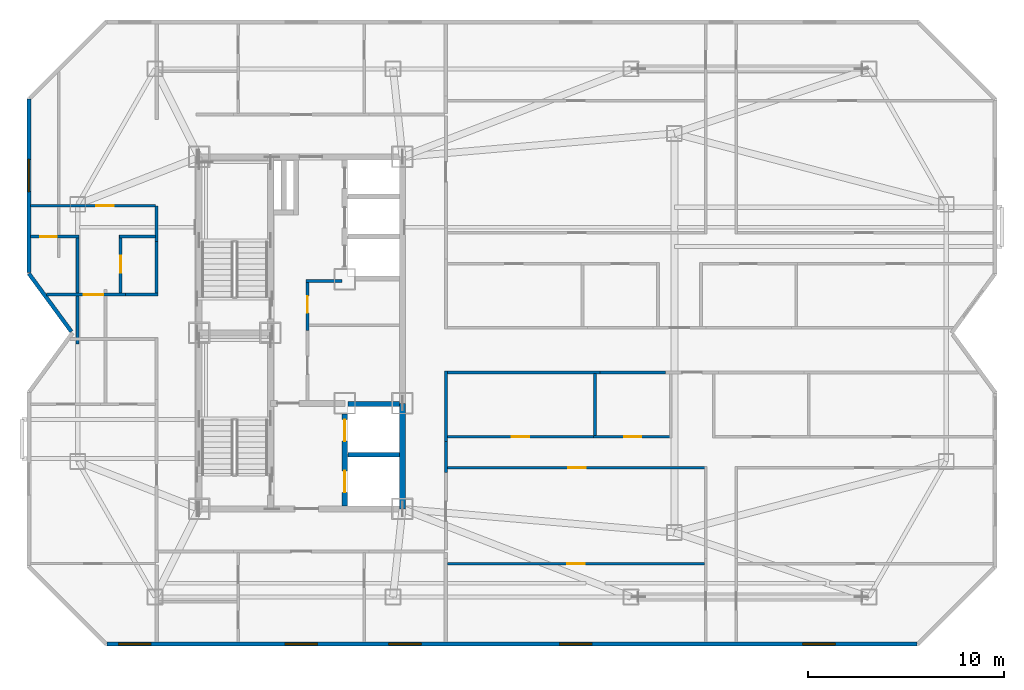
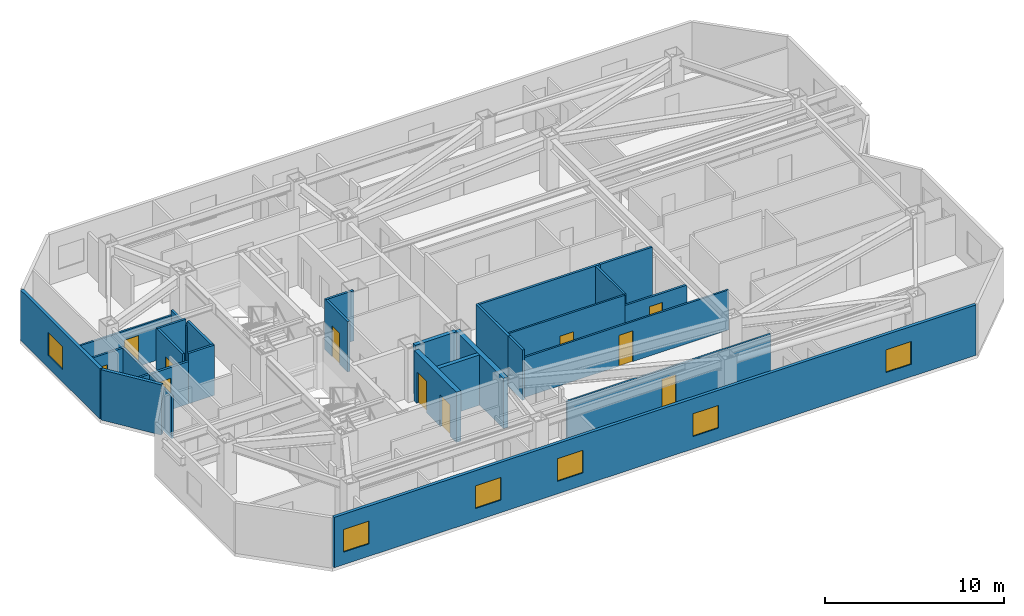
# One storey, part 5 of 9: 27 walls, 11 doors, 6 windows, 17 openings.
"""IFC4 building model written with IfcOpenShell, lengths in metres."""

from ifc_helpers import new_model, si_unit, direction, frame, frame_2d, origin, place, context, subcontext, project, spatial, rectangle, extrude, material, layer, layer_set, type_object, element, fill, save


model = new_model("IFC4")

# Units and contexts
model_context = context("Model", 3, precision=1e-05, world=origin(), true_north=direction((0.0, 1.0)))
body_context = subcontext(model_context, "Body", "Model", "MODEL_VIEW")
ifc_project = project(units=[si_unit("LENGTHUNIT", "METRE"), si_unit("AREAUNIT", "SQUARE_METRE"), si_unit("VOLUMEUNIT", "CUBIC_METRE"), si_unit("PLANEANGLEUNIT", "RADIAN"), si_unit("MASSUNIT", "GRAM", prefix="KILO")], contexts=[model_context])

# Site, building, storey
site_placement = place(None, origin())
site = spatial("IfcSite", under=ifc_project, at=site_placement, CompositionType="ELEMENT")
building_placement = place(site_placement, origin())
building = spatial("IfcBuilding", under=site, at=building_placement, Name="Khamvora Tower", CompositionType="ELEMENT")
storey_placement = place(building_placement, frame((0.0, 0.0, 224.5)))
storey = spatial("IfcBuildingStorey", under=building, at=storey_placement, Name="L57", CompositionType="ELEMENT", Elevation=224.5)

# Wall
ifc_material_1 = material(Name="Concrete C50/60", Category="concrete")
ifc_layer_1 = layer(ifc_material_1, 0.300048828125)
ifc_layer_set_1 = layer_set([ifc_layer_1], Name="Concrete C50/60")
wall_type_1 = type_object("IfcWallType", Name="WAL-CORE-300", PredefinedType="SHEAR", material=ifc_layer_set_1)
wall_1_placement = place(storey_placement, frame((39.39990234375, 19.0, 0.0), z_axis=(0.0, 0.0, 1.0), x_axis=(0.0, 1.0, 0.0)))
element("IfcWall", 1, at=wall_1_placement, inside=storey, type_object=wall_type_1, Name="L57 central core east south wall", PredefinedType="SHEAR", context=body_context, shape_type="SweptSolid", body=[
    extrude(rectangle(XDim=5.39990234375, YDim=0.300048828125, at=frame_2d((2.699951171875, 0.0))), origin(), (0.0, 0.0, 1.0), 3.429931640625),
])

# Wall, openings, doors
wall_2_placement = place(storey_placement, frame((36.449951171875, 19.154052734375, 0.0), z_axis=(0.0, 0.0, 1.0), x_axis=(0.0, 1.0, 0.0)))
wall_2 = element("IfcWall", 2, at=wall_2_placement, inside=storey, type_object=wall_type_1, Name="L57 central core lift bank south wall", PredefinedType="SHEAR", context=body_context, shape_type="SweptSolid", body=[
    extrude(rectangle(XDim=4.696044921875, YDim=0.300048828125, at=frame_2d((2.34814453125, 0.0))), origin(), (0.0, 0.0, 1.0), 3.429931640625),
])
opening_1_placement = place(wall_2_placement, frame((0.696044921875, 0.0, 0.0)))
opening_1 = element("IfcOpeningElement", 3, at=opening_1_placement, cuts=wall_2, Name="Opening LD-FFL", PredefinedType="OPENING", context=body_context, shape_type="SweptSolid", body=[
    extrude(rectangle(XDim=1.10009765625, YDim=2.14990234375, at=frame_2d((0.550048828125, 1.074951171875))), frame((0.0, 0.159912109375, 0.0), z_axis=(0.0, -1.0, 0.0), x_axis=(1.0, 0.0, 0.0)), (0.0, 0.0, 1.0), 0.320068359375),
])
opening_2_placement = place(wall_2_placement, frame((3.31591796875, 0.0, 0.0)))
opening_2 = element("IfcOpeningElement", 4, at=opening_2_placement, cuts=wall_2, Name="Opening LD-FFL", PredefinedType="OPENING", context=body_context, shape_type="SweptSolid", body=[
    extrude(rectangle(XDim=1.10009765625, YDim=2.14990234375, at=frame_2d((0.550048828125, 1.074951171875))), frame((0.0, 0.159912109375, 0.0), z_axis=(0.0, -1.0, 0.0), x_axis=(1.0, 0.0, 0.0)), (0.0, 0.0, 1.0), 0.320068359375),
])
ifc_material_2 = material(Name="Powder-Coated Steel and Hardwood Leaf", Category="steel")
door_type_1 = type_object("IfcDoorType", Name="DOR-LIFT-1100", OperationType="SLIDING_TO_LEFT", PredefinedType="DOOR", material=ifc_material_2)
door_1_placement = place(opening_1_placement, origin())
door_1 = element("IfcDoor", 5, at=door_1_placement, inside=storey, type_object=door_type_1, Name="L57 lift landing sliding door FFL-01", OperationType="SLIDING_TO_LEFT", OverallHeight=2.14990234375, OverallWidth=1.10009765625, PredefinedType="DOOR", context=body_context, shape_type="SweptSolid", body=[
    extrude(rectangle(XDim=1.10009765625, YDim=2.14990234375, at=frame_2d((0.550048828125, 1.074951171875))), frame((0.0, 0.02490234375, 0.0), z_axis=(0.0, -1.0, 0.0), x_axis=(1.0, 0.0, 0.0)), (0.0, 0.0, 1.0), 0.050048828125),
])
fill(opening_1, door_1)
door_2_placement = place(opening_2_placement, origin())
door_2 = element("IfcDoor", 6, at=door_2_placement, inside=storey, type_object=door_type_1, Name="L57 lift landing sliding door FFL-02", OperationType="SLIDING_TO_LEFT", OverallHeight=2.14990234375, OverallWidth=1.10009765625, PredefinedType="DOOR", context=body_context, shape_type="SweptSolid", body=[
    extrude(rectangle(XDim=1.10009765625, YDim=2.14990234375, at=frame_2d((0.550048828125, 1.074951171875))), frame((0.0, 0.02490234375, 0.0), z_axis=(0.0, -1.0, 0.0), x_axis=(1.0, 0.0, 0.0)), (0.0, 0.0, 1.0), 0.050048828125),
])
fill(opening_2, door_2)

# Wall
ifc_material_3 = material(Name="Fire-Rated Drywall and Steel Stud", Category="steel")
ifc_layer_2 = layer(ifc_material_3, 0.14990234375)
ifc_layer_set_2 = layer_set([ifc_layer_2], Name="Fire-Rated Drywall and Steel Stud")
wall_type_2 = type_object("IfcWallType", Name="WAL-CORR-150", PredefinedType="STANDARD", material=ifc_layer_set_2)
wall_3_placement = place(storey_placement, frame((36.300048828125, 30.6650390625, 0.0), z_axis=(0.0, 0.0, 1.0), x_axis=(-1.0, 0.0, 0.0)))
element("IfcWall", 7, at=wall_3_placement, inside=storey, type_object=wall_type_2, Name="L57 interior partition wall 001", PredefinedType="STANDARD", context=body_context, shape_type="SweptSolid", body=[
    extrude(rectangle(XDim=1.820068359375, YDim=0.14990234375, at=frame_2d((0.91015625, 0.0))), origin(), (0.0, 0.0, 1.0), 3.429931640625),
])

# Wall, opening, door
wall_4_placement = place(storey_placement, frame((34.544921875, 30.72998046875, 0.0), z_axis=(0.0, 0.0, 1.0), x_axis=(0.0, -1.0, 0.0)))
wall_4 = element("IfcWall", 8, at=wall_4_placement, inside=storey, type_object=wall_type_2, Name="L57 interior partition wall 002", PredefinedType="STANDARD", context=body_context, shape_type="SweptSolid", body=[
    extrude(rectangle(XDim=2.593994140625, YDim=0.14990234375, at=frame_2d((1.296875, 0.0))), origin(), (0.0, 0.0, 1.0), 3.429931640625),
])
opening_3_placement = place(wall_4_placement, frame((0.85107421875, 0.0, 0.0)))
opening_3 = element("IfcOpeningElement", 9, at=opening_3_placement, cuts=wall_4, Name="Opening D-WC1", PredefinedType="OPENING", context=body_context, shape_type="SweptSolid", body=[
    extrude(rectangle(XDim=0.85009765625, YDim=2.10009765625, at=frame_2d((0.425048828125, 1.050048828125))), frame((0.0, 0.0849609375, 0.0), z_axis=(0.0, -1.0, 0.0), x_axis=(1.0, 0.0, 0.0)), (0.0, 0.0, 1.0), 0.169921875),
])
door_type_2 = type_object("IfcDoorType", Name="DOR-WET-850", OperationType="NOTDEFINED", PredefinedType="DOOR", material=ifc_material_2)
door_3_placement = place(opening_3_placement, origin())
door_3 = element("IfcDoor", 10, at=door_3_placement, inside=storey, type_object=door_type_2, Name="L57 interior door PHL-CS1", OperationType="SINGLE_SWING_RIGHT", OverallHeight=2.10009765625, OverallWidth=0.85009765625, PredefinedType="DOOR", context=body_context, shape_type="SweptSolid", body=[
    extrude(rectangle(XDim=0.85009765625, YDim=2.10009765625, at=frame_2d((0.425048828125, 1.050048828125))), frame((0.0, 0.02490234375, 0.0), z_axis=(0.0, -1.0, 0.0), x_axis=(1.0, 0.0, 0.0)), (0.0, 0.0, 1.0), 0.050048828125),
])
fill(opening_3, door_3)

wall_5_placement = place(storey_placement, frame((21.197021484375, 29.965087890625, 0.0), z_axis=(0.0, 0.0, 1.0), x_axis=(1.0, 0.0, 0.0)))
wall_5 = element("IfcWall", 11, at=wall_5_placement, inside=storey, type_object=wall_type_2, Name="L57 interior partition wall 008", PredefinedType="STANDARD", context=body_context, shape_type="SweptSolid", body=[
    extrude(rectangle(XDim=4.0380859375, YDim=0.14990234375, at=frame_2d((2.01904296875, 0.0))), origin(), (0.0, 0.0, 1.0), 2.886962890625),
])
opening_4_placement = place(wall_5_placement, frame((1.910888671875, 0.0, 0.0)))
opening_4 = element("IfcOpeningElement", 12, at=opening_4_placement, cuts=wall_5, Name="Opening D-U1", PredefinedType="OPENING", context=body_context, shape_type="SweptSolid", body=[
    extrude(rectangle(XDim=1.0, YDim=2.14990234375, at=frame_2d((0.5, 1.074951171875))), frame((0.0, 0.0849609375, 0.0), z_axis=(0.0, -1.0, 0.0), x_axis=(1.0, 0.0, 0.0)), (0.0, 0.0, 1.0), 0.169921875),
])
door_type_3 = type_object("IfcDoorType", Name="DOR-UNIT-1000", OperationType="NOTDEFINED", PredefinedType="DOOR", material=ifc_material_2)
door_4_placement = place(opening_4_placement, origin())
door_4 = element("IfcDoor", 13, at=door_4_placement, inside=storey, type_object=door_type_3, Name="L57 interior door COR-57WBH", OperationType="SINGLE_SWING_RIGHT", OverallHeight=2.14990234375, OverallWidth=1.0, PredefinedType="DOOR", context=body_context, shape_type="SweptSolid", body=[
    extrude(rectangle(XDim=1.0, YDim=2.14990234375, at=frame_2d((0.5, 1.074951171875))), frame((0.0, 0.02490234375, 0.0), z_axis=(0.0, -1.0, 0.0), x_axis=(1.0, 0.0, 0.0)), (0.0, 0.0, 1.0), 0.050048828125),
])
fill(opening_4, door_4)

# Walls
wall_6_placement = place(storey_placement, frame((26.8349609375, 32.680908203125, 0.0), z_axis=(0.0, 0.0, 1.0), x_axis=(0.0, 1.0, 0.0)))
element("IfcWall", 14, at=wall_6_placement, inside=storey, type_object=wall_type_2, Name="L57 interior partition wall 009", PredefinedType="STANDARD", context=body_context, shape_type="SweptSolid", body=[
    extrude(rectangle(XDim=1.819091796875, YDim=0.14990234375, at=frame_2d((0.90966796875, 0.0))), origin(), (0.0, 0.0, 1.0), 3.06494140625),
])
wall_7_placement = place(storey_placement, frame((25.235107421875, 29.965087890625, 0.0), z_axis=(0.0, 0.0, 1.0), x_axis=(1.0, 0.0, 0.0)))
element("IfcWall", 15, at=wall_7_placement, inside=storey, type_object=wall_type_2, Name="L57 interior partition wall 010", PredefinedType="STANDARD", context=body_context, shape_type="SweptSolid", body=[
    extrude(rectangle(XDim=1.664794921875, YDim=0.14990234375, at=frame_2d((0.83251953125, 0.0))), origin(), (0.0, 0.0, 1.0), 3.429931640625),
])
wall_8_placement = place(storey_placement, frame((26.8349609375, 29.89990234375, 0.0), z_axis=(0.0, 0.0, 1.0), x_axis=(0.0, 1.0, 0.0)))
element("IfcWall", 16, at=wall_8_placement, inside=storey, type_object=wall_type_2, Name="L57 interior partition wall 011", PredefinedType="STANDARD", context=body_context, shape_type="SweptSolid", body=[
    extrude(rectangle(XDim=2.781005859375, YDim=0.14990234375, at=frame_2d((1.390625, 0.0))), origin(), (0.0, 0.0, 1.0), 3.429931640625),
])
wall_9_placement = place(storey_placement, frame((49.491943359375, 25.985107421875, 0.0), z_axis=(0.0, 0.0, 1.0), x_axis=(-1.0, 0.0, 0.0)))
element("IfcWall", 17, at=wall_9_placement, inside=storey, type_object=wall_type_2, Name="L57 interior partition wall 018", PredefinedType="STANDARD", context=body_context, shape_type="SweptSolid", body=[
    extrude(rectangle(XDim=7.94189453125, YDim=0.14990234375, at=frame_2d((3.970947265625, 0.0))), origin(), (0.0, 0.0, 1.0), 3.429931640625),
])
wall_10_placement = place(storey_placement, frame((41.614990234375, 26.050048828125, 0.0), z_axis=(0.0, 0.0, 1.0), x_axis=(0.0, -1.0, 0.0)))
element("IfcWall", 18, at=wall_10_placement, inside=storey, type_object=wall_type_2, Name="L57 interior partition wall 019", PredefinedType="STANDARD", context=body_context, shape_type="SweptSolid", body=[
    extrude(rectangle(XDim=3.610107421875, YDim=0.14990234375, at=frame_2d((1.80517578125, 0.0))), origin(), (0.0, 0.0, 1.0), 3.429931640625),
])
wall_11_placement = place(storey_placement, frame((41.614990234375, 22.43994140625, 0.0), z_axis=(0.0, 0.0, 1.0), x_axis=(0.0, -1.0, 0.0)))
element("IfcWall", 19, at=wall_11_placement, inside=storey, type_object=wall_type_2, Name="L57 interior partition wall 022", PredefinedType="STANDARD", context=body_context, shape_type="SweptSolid", body=[
    extrude(rectangle(XDim=1.579833984375, YDim=0.14990234375, at=frame_2d((0.7900390625, 0.0))), origin(), (0.0, 0.0, 1.0), 3.429931640625),
])
wall_12_placement = place(storey_placement, frame((52.85888671875, 25.985107421875, 0.0), z_axis=(0.0, 0.0, 1.0), x_axis=(-1.0, 0.0, 0.0)))
element("IfcWall", 20, at=wall_12_placement, inside=storey, type_object=wall_type_2, Name="L57 interior partition wall 023", PredefinedType="STANDARD", context=body_context, shape_type="SweptSolid", body=[
    extrude(rectangle(XDim=3.366943359375, YDim=0.14990234375, at=frame_2d((1.68359375, 0.0))), origin(), (0.0, 0.0, 1.0), 3.429931640625),
])
ifc_material_4 = material(Name="Precast concrete C40/50", Category="concrete")
ifc_layer_3 = layer(ifc_material_4, 0.199951171875)
ifc_layer_set_3 = layer_set([ifc_layer_3], Name="Precast concrete C40/50")
wall_type_3 = type_object("IfcWallType", Name="WAL-EXT-200", PredefinedType="STANDARD", material=ifc_layer_set_3)
wall_13_placement = place(storey_placement, frame((22.472900390625, 28.069091796875, 0.0), z_axis=(0.0, 0.0, 1.0), x_axis=(-0.591248456881, 0.80648946815, 0.0)))
element("IfcWall", 21, at=wall_13_placement, inside=storey, type_object=wall_type_3, Name="L57 exterior facade wall 04.1", PredefinedType="STANDARD", context=body_context, shape_type="SweptSolid", body=[
    extrude(rectangle(XDim=3.675048828125, YDim=0.199951171875, at=frame_2d((1.83740234375, 0.0))), origin(), (0.0, 0.0, 1.0), 3.429931640625),
])

# Wall, opening, window
wall_14_placement = place(storey_placement, frame((20.300048828125, 31.083984375, 0.0), z_axis=(0.0, 0.0, 1.0), x_axis=(0.0, 1.0, 0.0)))
wall_14 = element("IfcWall", 22, at=wall_14_placement, inside=storey, type_object=wall_type_3, Name="L57 exterior facade wall 05.1", PredefinedType="STANDARD", context=body_context, shape_type="SweptSolid", body=[
    extrude(rectangle(XDim=8.875, YDim=0.199951171875, at=frame_2d((4.4375, 0.0))), origin(), (0.0, 0.0, 1.0), 3.429931640625),
])
opening_5_placement = place(wall_14_placement, frame((4.14306640625, 0.0, 0.85009765625)))
opening_5 = element("IfcOpeningElement", 23, at=opening_5_placement, cuts=wall_14, Name="Opening WN-06", PredefinedType="OPENING", context=body_context, shape_type="SweptSolid", body=[
    extrude(rectangle(XDim=1.64990234375, YDim=1.550048828125, at=frame_2d((0.824951171875, 0.77490234375))), frame((0.0, 0.10986328125, 0.0), z_axis=(0.0, -1.0, 0.0), x_axis=(1.0, 0.0, 0.0)), (0.0, 0.0, 1.0), 0.219970703125),
])
ifc_material_5 = material(Name="Low-E Laminated Double Glazing", Category="glass")
window_type = type_object("IfcWindowType", Name="WIN-VIS-1650x1550", PartitioningType="SINGLE_PANEL", PredefinedType="WINDOW", material=ifc_material_5)
window_1_placement = place(opening_5_placement, origin())
window_1 = element("IfcWindow", 24, at=window_1_placement, inside=storey, type_object=window_type, Name="L57 vision window 05.1.01", OverallHeight=1.550048828125, OverallWidth=1.64990234375, PartitioningType="SINGLE_PANEL", PredefinedType="WINDOW", context=body_context, shape_type="SweptSolid", body=[
    extrude(rectangle(XDim=1.64990234375, YDim=1.550048828125, at=frame_2d((0.824951171875, 0.77490234375))), frame((0.0, 0.030029296875, 0.0), z_axis=(0.0, -1.0, 0.0), x_axis=(1.0, 0.0, 0.0)), (0.0, 0.0, 1.0), 0.06005859375),
])
fill(opening_5, window_1)

# Wall, openings, windows
wall_15_placement = place(storey_placement, frame((65.696044921875, 12.10009765625, 0.0), z_axis=(0.0, 0.0, 1.0), x_axis=(-1.0, 0.0, 0.0)))
wall_15 = element("IfcWall", 25, at=wall_15_placement, inside=storey, type_object=wall_type_3, Name="L57 exterior facade wall 14.1", PredefinedType="STANDARD", context=body_context, shape_type="SweptSolid", body=[
    extrude(rectangle(XDim=41.39306640625, YDim=0.199951171875, at=frame_2d((20.696533203125, 0.0))), origin(), (0.0, 0.0, 1.0), 3.429931640625),
])
opening_6_placement = place(wall_15_placement, frame((39.159912109375, 0.0, 0.85009765625)))
opening_6 = element("IfcOpeningElement", 26, at=opening_6_placement, cuts=wall_15, Name="Opening WN-06", PredefinedType="OPENING", context=body_context, shape_type="SweptSolid", body=[
    extrude(rectangle(XDim=1.64990234375, YDim=1.550048828125, at=frame_2d((0.824951171875, 0.77490234375))), frame((0.0, 0.10986328125, 0.0), z_axis=(0.0, -1.0, 0.0), x_axis=(1.0, 0.0, 0.0)), (0.0, 0.0, 1.0), 0.219970703125),
])
opening_7_placement = place(wall_15_placement, frame((30.64599609375, 0.0, 0.85009765625)))
opening_7 = element("IfcOpeningElement", 27, at=opening_7_placement, cuts=wall_15, Name="Opening WN-06", PredefinedType="OPENING", context=body_context, shape_type="SweptSolid", body=[
    extrude(rectangle(XDim=1.64990234375, YDim=1.550048828125, at=frame_2d((0.824951171875, 0.77490234375))), frame((0.0, 0.10986328125, 0.0), z_axis=(0.0, -1.0, 0.0), x_axis=(1.0, 0.0, 0.0)), (0.0, 0.0, 1.0), 0.219970703125),
])
opening_8_placement = place(wall_15_placement, frame((25.339111328125, 0.0, 0.85009765625)))
opening_8 = element("IfcOpeningElement", 28, at=opening_8_placement, cuts=wall_15, Name="Opening WN-06", PredefinedType="OPENING", context=body_context, shape_type="SweptSolid", body=[
    extrude(rectangle(XDim=1.64990234375, YDim=1.550048828125, at=frame_2d((0.824951171875, 0.77490234375))), frame((0.0, 0.10986328125, 0.0), z_axis=(0.0, -1.0, 0.0), x_axis=(1.0, 0.0, 0.0)), (0.0, 0.0, 1.0), 0.219970703125),
])
opening_9_placement = place(wall_15_placement, frame((16.613037109375, 0.0, 0.85009765625)))
opening_9 = element("IfcOpeningElement", 29, at=opening_9_placement, cuts=wall_15, Name="Opening WN-06", PredefinedType="OPENING", context=body_context, shape_type="SweptSolid", body=[
    extrude(rectangle(XDim=1.64990234375, YDim=1.550048828125, at=frame_2d((0.824951171875, 0.77490234375))), frame((0.0, 0.10986328125, 0.0), z_axis=(0.0, -1.0, 0.0), x_axis=(1.0, 0.0, 0.0)), (0.0, 0.0, 1.0), 0.219970703125),
])
opening_10_placement = place(wall_15_placement, frame((4.179931640625, 0.0, 0.85009765625)))
opening_10 = element("IfcOpeningElement", 30, at=opening_10_placement, cuts=wall_15, Name="Opening WN-06", PredefinedType="OPENING", context=body_context, shape_type="SweptSolid", body=[
    extrude(rectangle(XDim=1.64990234375, YDim=1.550048828125, at=frame_2d((0.824951171875, 0.77490234375))), frame((0.0, 0.10986328125, 0.0), z_axis=(0.0, -1.0, 0.0), x_axis=(1.0, 0.0, 0.0)), (0.0, 0.0, 1.0), 0.219970703125),
])
window_2_placement = place(opening_6_placement, origin())
window_2 = element("IfcWindow", 31, at=window_2_placement, inside=storey, type_object=window_type, Name="L57 vision window 14.1.01", OverallHeight=1.550048828125, OverallWidth=1.64990234375, PartitioningType="SINGLE_PANEL", PredefinedType="WINDOW", context=body_context, shape_type="SweptSolid", body=[
    extrude(rectangle(XDim=1.64990234375, YDim=1.550048828125, at=frame_2d((0.824951171875, 0.77490234375))), frame((0.0, 0.030029296875, 0.0), z_axis=(0.0, -1.0, 0.0), x_axis=(1.0, 0.0, 0.0)), (0.0, 0.0, 1.0), 0.06005859375),
])
fill(opening_6, window_2)
window_3_placement = place(opening_7_placement, origin())
window_3 = element("IfcWindow", 32, at=window_3_placement, inside=storey, type_object=window_type, Name="L57 vision window 14.1.02", OverallHeight=1.550048828125, OverallWidth=1.64990234375, PartitioningType="SINGLE_PANEL", PredefinedType="WINDOW", context=body_context, shape_type="SweptSolid", body=[
    extrude(rectangle(XDim=1.64990234375, YDim=1.550048828125, at=frame_2d((0.824951171875, 0.77490234375))), frame((0.0, 0.030029296875, 0.0), z_axis=(0.0, -1.0, 0.0), x_axis=(1.0, 0.0, 0.0)), (0.0, 0.0, 1.0), 0.06005859375),
])
fill(opening_7, window_3)
window_4_placement = place(opening_8_placement, origin())
window_4 = element("IfcWindow", 33, at=window_4_placement, inside=storey, type_object=window_type, Name="L57 vision window 14.1.03", OverallHeight=1.550048828125, OverallWidth=1.64990234375, PartitioningType="SINGLE_PANEL", PredefinedType="WINDOW", context=body_context, shape_type="SweptSolid", body=[
    extrude(rectangle(XDim=1.64990234375, YDim=1.550048828125, at=frame_2d((0.824951171875, 0.77490234375))), frame((0.0, 0.030029296875, 0.0), z_axis=(0.0, -1.0, 0.0), x_axis=(1.0, 0.0, 0.0)), (0.0, 0.0, 1.0), 0.06005859375),
])
fill(opening_8, window_4)
window_5_placement = place(opening_9_placement, origin())
window_5 = element("IfcWindow", 34, at=window_5_placement, inside=storey, type_object=window_type, Name="L57 vision window 14.1.04", OverallHeight=1.550048828125, OverallWidth=1.64990234375, PartitioningType="SINGLE_PANEL", PredefinedType="WINDOW", context=body_context, shape_type="SweptSolid", body=[
    extrude(rectangle(XDim=1.64990234375, YDim=1.550048828125, at=frame_2d((0.824951171875, 0.77490234375))), frame((0.0, 0.030029296875, 0.0), z_axis=(0.0, -1.0, 0.0), x_axis=(1.0, 0.0, 0.0)), (0.0, 0.0, 1.0), 0.06005859375),
])
fill(opening_9, window_5)
window_6_placement = place(opening_10_placement, origin())
window_6 = element("IfcWindow", 35, at=window_6_placement, inside=storey, type_object=window_type, Name="L57 vision window 14.1.05", OverallHeight=1.550048828125, OverallWidth=1.64990234375, PartitioningType="SINGLE_PANEL", PredefinedType="WINDOW", context=body_context, shape_type="SweptSolid", body=[
    extrude(rectangle(XDim=1.64990234375, YDim=1.550048828125, at=frame_2d((0.824951171875, 0.77490234375))), frame((0.0, 0.030029296875, 0.0), z_axis=(0.0, -1.0, 0.0), x_axis=(1.0, 0.0, 0.0)), (0.0, 0.0, 1.0), 0.06005859375),
])
fill(opening_10, window_6)

# Wall, opening, door
ifc_material_6 = material(Name="Gypsum Plasterboard Partition", Category="gypsum")
ifc_layer_4 = layer(ifc_material_6, 0.1201171875)
ifc_layer_set_4 = layer_set([ifc_layer_4], Name="Gypsum Plasterboard Partition")
wall_type_4 = type_object("IfcWallType", Name="WAL-PART-120", PredefinedType="PARTITIONING", material=ifc_layer_set_4)
wall_16_placement = place(storey_placement, frame((20.39208984375, 34.510009765625, 0.0), z_axis=(0.0, 0.0, 1.0), x_axis=(1.0, 0.0, 0.0)))
wall_16 = element("IfcWall", 36, at=wall_16_placement, inside=storey, type_object=wall_type_4, Name="L57 interior partition wall 046", PredefinedType="PARTITIONING", context=body_context, shape_type="SweptSolid", body=[
    extrude(rectangle(XDim=6.3779296875, YDim=0.1201171875, at=frame_2d((3.18896484375, 0.0))), origin(), (0.0, 0.0, 1.0), 2.72509765625),
])
opening_11_placement = place(wall_16_placement, frame((3.35205078125, 0.0, 0.0)))
opening_11 = element("IfcOpeningElement", 37, at=opening_11_placement, cuts=wall_16, Name="Opening D-RM1", PredefinedType="OPENING", context=body_context, shape_type="SweptSolid", body=[
    extrude(rectangle(XDim=0.89990234375, YDim=2.10009765625, at=frame_2d((0.449951171875, 1.050048828125))), frame((0.0, 0.070068359375, 0.0), z_axis=(0.0, -1.0, 0.0), x_axis=(1.0, 0.0, 0.0)), (0.0, 0.0, 1.0), 0.14013671875),
])
door_type_4 = type_object("IfcDoorType", Name="DOR-ROOM-900", OperationType="NOTDEFINED", PredefinedType="DOOR", material=ifc_material_2)
door_5_placement = place(opening_11_placement, origin())
door_5 = element("IfcDoor", 38, at=door_5_placement, inside=storey, type_object=door_type_4, Name="L57 interior door 57WBH-57WBR1", OperationType="SINGLE_SWING_RIGHT", OverallHeight=2.10009765625, OverallWidth=0.89990234375, PredefinedType="DOOR", context=body_context, shape_type="SweptSolid", body=[
    extrude(rectangle(XDim=0.89990234375, YDim=2.10009765625, at=frame_2d((0.449951171875, 1.050048828125))), frame((0.0, 0.02490234375, 0.0), z_axis=(0.0, -1.0, 0.0), x_axis=(1.0, 0.0, 0.0)), (0.0, 0.0, 1.0), 0.050048828125),
])
fill(opening_11, door_5)

wall_17_placement = place(storey_placement, frame((49.177978515625, 22.68896484375, 0.0), z_axis=(0.0, 0.0, 1.0), x_axis=(-1.0, 0.0, 0.0)))
wall_17 = element("IfcWall", 39, at=wall_17_placement, inside=storey, type_object=wall_type_4, Name="L57 interior partition wall 061", PredefinedType="PARTITIONING", context=body_context, shape_type="SweptSolid", body=[
    extrude(rectangle(XDim=7.49609375, YDim=0.1201171875, at=frame_2d((3.748046875, 0.0))), origin(), (0.0, 0.0, 1.0), 3.429931640625),
])
opening_12_placement = place(wall_17_placement, frame((3.298095703125, 0.0, 0.0)))
opening_12 = element("IfcOpeningElement", 40, at=opening_12_placement, cuts=wall_17, Name="Opening D-RM1", PredefinedType="OPENING", context=body_context, shape_type="SweptSolid", body=[
    extrude(rectangle(XDim=0.89990234375, YDim=2.10009765625, at=frame_2d((0.449951171875, 1.050048828125))), frame((0.0, 0.070068359375, 0.0), z_axis=(0.0, -1.0, 0.0), x_axis=(1.0, 0.0, 0.0)), (0.0, 0.0, 1.0), 0.14013671875),
])
door_6_placement = place(opening_12_placement, origin())
door_6 = element("IfcDoor", 41, at=door_6_placement, inside=storey, type_object=door_type_4, Name="L57 interior door 57EAW1-57EAH", OperationType="SINGLE_SWING_LEFT", OverallHeight=2.10009765625, OverallWidth=0.89990234375, PredefinedType="DOOR", context=body_context, shape_type="SweptSolid", body=[
    extrude(rectangle(XDim=0.89990234375, YDim=2.10009765625, at=frame_2d((0.449951171875, 1.050048828125))), frame((0.0, 0.02490234375, 0.0), z_axis=(0.0, -1.0, 0.0), x_axis=(1.0, 0.0, 0.0)), (0.0, 0.0, 1.0), 0.050048828125),
])
fill(opening_12, door_6)

wall_18_placement = place(storey_placement, frame((54.965087890625, 21.10888671875, 0.0), z_axis=(0.0, 0.0, 1.0), x_axis=(-1.0, 0.0, 0.0)))
wall_18 = element("IfcWall", 42, at=wall_18_placement, inside=storey, type_object=wall_type_4, Name="L57 interior partition wall 071", PredefinedType="PARTITIONING", context=body_context, shape_type="SweptSolid", body=[
    extrude(rectangle(XDim=13.283203125, YDim=0.1201171875, at=frame_2d((6.6416015625, 0.0))), origin(), (0.0, 0.0, 1.0), 2.72509765625),
])
opening_13_placement = place(wall_18_placement, frame((6.19091796875, 0.0, 0.0)))
opening_13 = element("IfcOpeningElement", 43, at=opening_13_placement, cuts=wall_18, Name="Opening D-RM1", PredefinedType="OPENING", context=body_context, shape_type="SweptSolid", body=[
    extrude(rectangle(XDim=0.89990234375, YDim=2.10009765625, at=frame_2d((0.449951171875, 1.050048828125))), frame((0.0, 0.070068359375, 0.0), z_axis=(0.0, -1.0, 0.0), x_axis=(1.0, 0.0, 0.0)), (0.0, 0.0, 1.0), 0.14013671875),
])
door_7_placement = place(opening_13_placement, origin())
door_7 = element("IfcDoor", 44, at=door_7_placement, inside=storey, type_object=door_type_4, Name="L57 interior door 57EAH-57EAR2", OperationType="SINGLE_SWING_RIGHT", OverallHeight=2.10009765625, OverallWidth=0.89990234375, PredefinedType="DOOR", context=body_context, shape_type="SweptSolid", body=[
    extrude(rectangle(XDim=0.89990234375, YDim=2.10009765625, at=frame_2d((0.449951171875, 1.050048828125))), frame((0.0, 0.02490234375, 0.0), z_axis=(0.0, -1.0, 0.0), x_axis=(1.0, 0.0, 0.0)), (0.0, 0.0, 1.0), 0.050048828125),
])
fill(opening_13, door_7)

wall_19_placement = place(storey_placement, frame((41.697021484375, 16.2080078125, 0.0), z_axis=(0.0, 0.0, 1.0), x_axis=(1.0, 0.0, 0.0)))
wall_19 = element("IfcWall", 45, at=wall_19_placement, inside=storey, type_object=wall_type_4, Name="L57 interior partition wall 075", PredefinedType="PARTITIONING", context=body_context, shape_type="SweptSolid", body=[
    extrude(rectangle(XDim=13.14892578125, YDim=0.1201171875, at=frame_2d((6.574462890625, 0.0))), origin(), (0.0, 0.0, 1.0), 2.72509765625),
])
opening_14_placement = place(wall_19_placement, frame((6.1240234375, 0.0, 0.0)))
opening_14 = element("IfcOpeningElement", 46, at=opening_14_placement, cuts=wall_19, Name="Opening D-RM1", PredefinedType="OPENING", context=body_context, shape_type="SweptSolid", body=[
    extrude(rectangle(XDim=0.89990234375, YDim=2.10009765625, at=frame_2d((0.449951171875, 1.050048828125))), frame((0.0, 0.070068359375, 0.0), z_axis=(0.0, -1.0, 0.0), x_axis=(1.0, 0.0, 0.0)), (0.0, 0.0, 1.0), 0.14013671875),
])
door_8_placement = place(opening_14_placement, origin())
door_8 = element("IfcDoor", 47, at=door_8_placement, inside=storey, type_object=door_type_4, Name="L57 interior door 57EAR1-57EAR2", OperationType="SINGLE_SWING_LEFT", OverallHeight=2.10009765625, OverallWidth=0.89990234375, PredefinedType="DOOR", context=body_context, shape_type="SweptSolid", body=[
    extrude(rectangle(XDim=0.89990234375, YDim=2.10009765625, at=frame_2d((0.449951171875, 1.050048828125))), frame((0.0, 0.02490234375, 0.0), z_axis=(0.0, -1.0, 0.0), x_axis=(1.0, 0.0, 0.0)), (0.0, 0.0, 1.0), 0.050048828125),
])
fill(opening_14, door_8)

# Walls
ifc_material_7 = material(Name="Concrete C40/50", Category="concrete")
ifc_layer_5 = layer(ifc_material_7, 0.25)
ifc_layer_set_5 = layer_set([ifc_layer_5], Name="Concrete C40/50")
wall_type_5 = type_object("IfcWallType", Name="WAL-PODS-250", PredefinedType="SHEAR", material=ifc_layer_set_5)
for number, where, z_axis, x_axis, name in (
    (48, (36.60400390625, 21.77490234375, 0.0), (0.0, 0.0, 1.0), (1.0, 0.0, 0.0), "L57 lift shaft divider wall FFL-01"),
    (49, (36.60400390625, 24.375, 0.0), (0.0, 0.0, 1.0), (1.0, 0.0, 0.0), "L57 lift shaft divider wall FFL-02"),
):
    element("IfcWall", number, at=place(storey_placement, frame(where, z_axis=z_axis, x_axis=x_axis)), inside=storey, type_object=wall_type_5, Name=name, PredefinedType="SHEAR", context=body_context, shape_type="SweptSolid", body=[
        extrude(rectangle(XDim=2.64208984375, YDim=0.25, at=frame_2d((1.321044921875, 0.0))), origin(), (0.0, 0.0, 1.0), 3.429931640625),
    ])
ifc_material_8 = material(Name="Moisture-Resistant Plasterboard Partition", Category="gypsum")
ifc_layer_6 = layer(ifc_material_8, 0.135009765625)
ifc_layer_set_6 = layer_set([ifc_layer_6], Name="Moisture-Resistant Plasterboard Partition")
wall_type_6 = type_object("IfcWallType", Name="WAL-WET-135", PredefinedType="PARTITIONING", material=ifc_layer_set_6)
wall_20_placement = place(storey_placement, frame((26.77001953125, 32.929931640625, 0.0), z_axis=(0.0, 0.0, 1.0), x_axis=(-1.0, 0.0, 0.0)))
element("IfcWall", 50, at=wall_20_placement, inside=storey, type_object=wall_type_6, Name="L57 interior partition wall 041", PredefinedType="PARTITIONING", context=body_context, shape_type="SweptSolid", body=[
    extrude(rectangle(XDim=1.84912109375, YDim=0.135009765625, at=frame_2d((0.924560546875, 0.0))), origin(), (0.0, 0.0, 1.0), 3.429931640625),
])

# Wall, opening, door
wall_21_placement = place(storey_placement, frame((24.986083984375, 32.9951171875, 0.0), z_axis=(0.0, 0.0, 1.0), x_axis=(0.0, -1.0, 0.0)))
wall_21 = element("IfcWall", 51, at=wall_21_placement, inside=storey, type_object=wall_type_6, Name="L57 interior partition wall 042", PredefinedType="PARTITIONING", context=body_context, shape_type="SweptSolid", body=[
    extrude(rectangle(XDim=2.965087890625, YDim=0.135009765625, at=frame_2d((1.482421875, 0.0))), origin(), (0.0, 0.0, 1.0), 3.429931640625),
])
opening_15_placement = place(wall_21_placement, frame((1.056884765625, 0.0, 0.0)))
opening_15 = element("IfcOpeningElement", 52, at=opening_15_placement, cuts=wall_21, Name="Opening D-WC1", PredefinedType="OPENING", context=body_context, shape_type="SweptSolid", body=[
    extrude(rectangle(XDim=0.85009765625, YDim=2.10009765625, at=frame_2d((0.425048828125, 1.050048828125))), frame((0.0, 0.077392578125, 0.0), z_axis=(0.0, -1.0, 0.0), x_axis=(1.0, 0.0, 0.0)), (0.0, 0.0, 1.0), 0.155029296875),
])
door_9_placement = place(opening_15_placement, origin())
door_9 = element("IfcDoor", 53, at=door_9_placement, inside=storey, type_object=door_type_2, Name="L57 interior door 57WBH-57WBB", OperationType="SINGLE_SWING_RIGHT", OverallHeight=2.10009765625, OverallWidth=0.85009765625, PredefinedType="DOOR", context=body_context, shape_type="SweptSolid", body=[
    extrude(rectangle(XDim=0.85009765625, YDim=2.10009765625, at=frame_2d((0.425048828125, 1.050048828125))), frame((0.0, 0.02490234375, 0.0), z_axis=(0.0, -1.0, 0.0), x_axis=(1.0, 0.0, 0.0)), (0.0, 0.0, 1.0), 0.050048828125),
])
fill(opening_15, door_9)

# Wall
wall_22_placement = place(storey_placement, frame((22.785888671875, 27.429931640625, 0.0), z_axis=(0.0, 0.0, 1.0), x_axis=(0.0, 1.0, 0.0)))
element("IfcWall", 54, at=wall_22_placement, inside=storey, type_object=wall_type_6, Name="L57 interior partition wall 043", PredefinedType="PARTITIONING", context=body_context, shape_type="SweptSolid", body=[
    extrude(rectangle(XDim=5.565185546875, YDim=0.135009765625, at=frame_2d((2.78271484375, 0.0))), origin(), (0.0, 0.0, 1.0), 2.886962890625),
])

# Wall, opening, door
wall_23_placement = place(storey_placement, frame((22.85107421875, 32.929931640625, 0.0), z_axis=(0.0, 0.0, 1.0), x_axis=(-1.0, 0.0, 0.0)))
wall_23 = element("IfcWall", 55, at=wall_23_placement, inside=storey, type_object=wall_type_6, Name="L57 interior partition wall 044", PredefinedType="PARTITIONING", context=body_context, shape_type="SweptSolid", body=[
    extrude(rectangle(XDim=2.458984375, YDim=0.135009765625, at=frame_2d((1.2294921875, 0.0))), origin(), (0.0, 0.0, 1.0), 2.886962890625),
])
opening_16_placement = place(wall_23_placement, frame((1.131103515625, 0.0, 0.0)))
opening_16 = element("IfcOpeningElement", 56, at=opening_16_placement, cuts=wall_23, Name="Opening D-RM2", PredefinedType="OPENING", context=body_context, shape_type="SweptSolid", body=[
    extrude(rectangle(XDim=0.85009765625, YDim=2.10009765625, at=frame_2d((0.425048828125, 1.050048828125))), frame((0.0, 0.077392578125, 0.0), z_axis=(0.0, -1.0, 0.0), x_axis=(1.0, 0.0, 0.0)), (0.0, 0.0, 1.0), 0.155029296875),
])
door_type_5 = type_object("IfcDoorType", Name="DOR-ROOM-850", OperationType="NOTDEFINED", PredefinedType="DOOR", material=ifc_material_2)
door_10_placement = place(opening_16_placement, origin())
door_10 = element("IfcDoor", 57, at=door_10_placement, inside=storey, type_object=door_type_5, Name="L57 interior door 57WBH-57WBK", OperationType="SINGLE_SWING_LEFT", OverallHeight=2.10009765625, OverallWidth=0.85009765625, PredefinedType="DOOR", context=body_context, shape_type="SweptSolid", body=[
    extrude(rectangle(XDim=0.85009765625, YDim=2.10009765625, at=frame_2d((0.425048828125, 1.050048828125))), frame((0.0, 0.02490234375, 0.0), z_axis=(0.0, -1.0, 0.0), x_axis=(1.0, 0.0, 0.0)), (0.0, 0.0, 1.0), 0.050048828125),
])
fill(opening_16, door_10)

# Wall
wall_24_placement = place(storey_placement, frame((49.242919921875, 25.91796875, 0.0), z_axis=(0.0, 0.0, 1.0), x_axis=(0.0, -1.0, 0.0)))
element("IfcWall", 58, at=wall_24_placement, inside=storey, type_object=wall_type_6, Name="L57 interior partition wall 062", PredefinedType="PARTITIONING", context=body_context, shape_type="SweptSolid", body=[
    extrude(rectangle(XDim=3.1640625, YDim=0.135009765625, at=frame_2d((1.58203125, 0.0))), origin(), (0.0, 0.0, 1.0), 3.429931640625),
])

# Wall, opening, door
wall_25_placement = place(storey_placement, frame((49.177978515625, 22.68896484375, 0.0), z_axis=(0.0, 0.0, 1.0), x_axis=(1.0, 0.0, 0.0)))
wall_25 = element("IfcWall", 59, at=wall_25_placement, inside=storey, type_object=wall_type_6, Name="L57 interior partition wall 065", PredefinedType="PARTITIONING", context=body_context, shape_type="SweptSolid", body=[
    extrude(rectangle(XDim=3.9951171875, YDim=0.135009765625, at=frame_2d((1.99755859375, 0.0))), origin(), (0.0, 0.0, 1.0), 2.72509765625),
])
opening_17_placement = place(wall_25_placement, frame((1.572998046875, 0.0, 0.0)))
opening_17 = element("IfcOpeningElement", 60, at=opening_17_placement, cuts=wall_25, Name="Opening D-WC1", PredefinedType="OPENING", context=body_context, shape_type="SweptSolid", body=[
    extrude(rectangle(XDim=0.85009765625, YDim=2.10009765625, at=frame_2d((0.425048828125, 1.050048828125))), frame((0.0, 0.077392578125, 0.0), z_axis=(0.0, -1.0, 0.0), x_axis=(1.0, 0.0, 0.0)), (0.0, 0.0, 1.0), 0.155029296875),
])
door_11_placement = place(opening_17_placement, origin())
door_11 = element("IfcDoor", 61, at=door_11_placement, inside=storey, type_object=door_type_2, Name="L57 interior door 57EAH-57EAB", OperationType="SINGLE_SWING_LEFT", OverallHeight=2.10009765625, OverallWidth=0.85009765625, PredefinedType="DOOR", context=body_context, shape_type="SweptSolid", body=[
    extrude(rectangle(XDim=0.85009765625, YDim=2.10009765625, at=frame_2d((0.425048828125, 1.050048828125))), frame((0.0, 0.02490234375, 0.0), z_axis=(0.0, -1.0, 0.0), x_axis=(1.0, 0.0, 0.0)), (0.0, 0.0, 1.0), 0.050048828125),
])
fill(opening_17, door_11)

save(model, "model.ifc")
